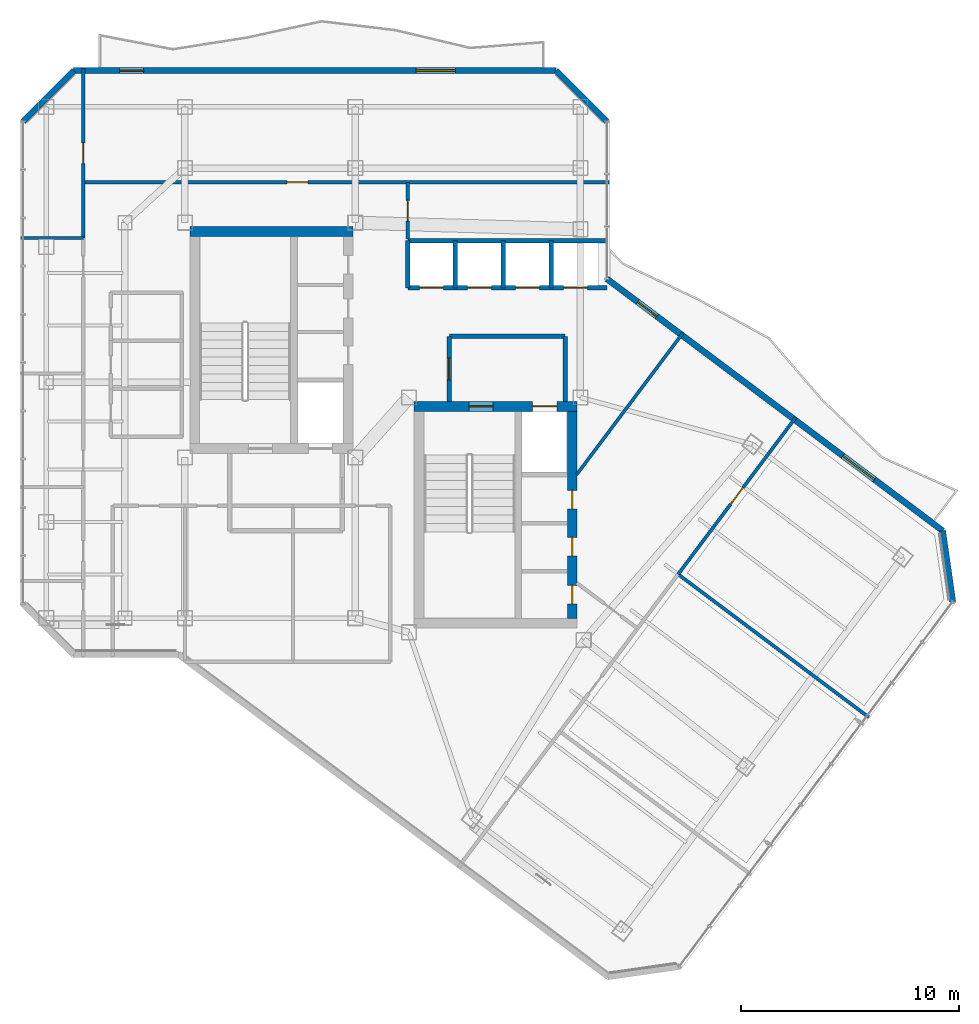
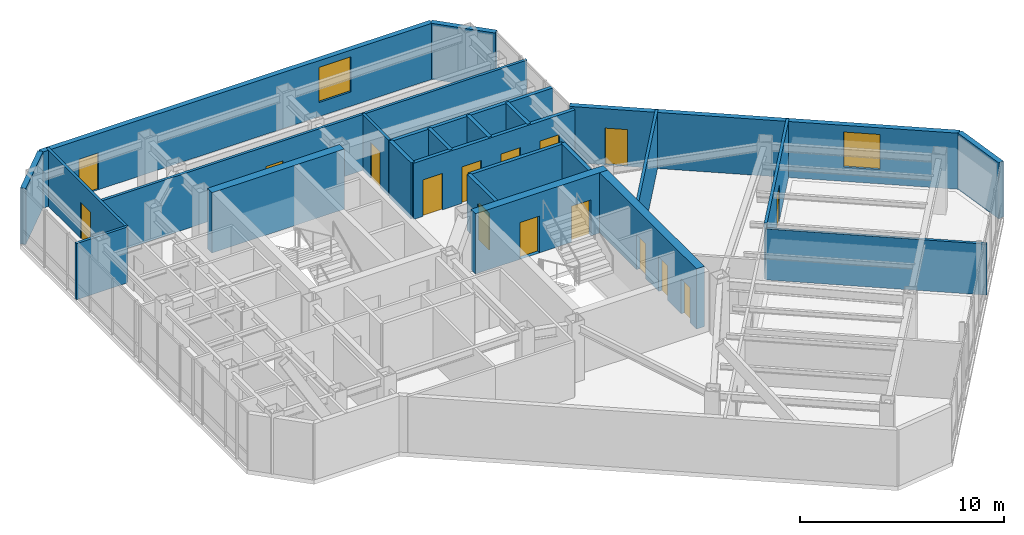
# One storey, part 21 of 26: 24 walls, 16 doors, 2 windows, 18 openings.
"""IFC4 building model written with IfcOpenShell, lengths in metres."""

from ifc_helpers import new_model, si_unit, direction, frame, frame_2d, origin, place, context, subcontext, project, spatial, rectangle, extrude, material, layer, layer_set, type_object, element, fill, save


model = new_model("IFC4")

# Units and contexts
model_context = context("Model", 3, precision=1e-05, world=origin(), true_north=direction((0.0, 1.0)))
body_context = subcontext(model_context, "Body", "Model", "MODEL_VIEW")
ifc_project = project(units=[si_unit("LENGTHUNIT", "METRE"), si_unit("AREAUNIT", "SQUARE_METRE"), si_unit("VOLUMEUNIT", "CUBIC_METRE"), si_unit("PLANEANGLEUNIT", "RADIAN"), si_unit("MASSUNIT", "GRAM", prefix="KILO")], contexts=[model_context])

# Site, building, storey
site_placement = place(None, origin())
site = spatial("IfcSite", under=ifc_project, at=site_placement, CompositionType="ELEMENT")
building_placement = place(site_placement, origin())
building = spatial("IfcBuilding", under=site, at=building_placement, Name="Hatsunagi Terrace Concourse", CompositionType="ELEMENT")
storey_placement = place(building_placement, frame((0.0, 0.0, 227.550048828125)))
storey = spatial("IfcBuildingStorey", under=building, at=storey_placement, Name="L60", CompositionType="ELEMENT", Elevation=227.550048828125)

# Wall
ifc_material_1 = material(Name="Concrete Fc42", Category="concrete")
ifc_layer_1 = layer(ifc_material_1, 0.449951171875)
ifc_layer_set_1 = layer_set([ifc_layer_1], Name="CoreShearWall_Fc42_450")
wall_type_1 = type_object("IfcWallType", Name="CoreShearWall_Fc42_450", PredefinedType="SHEAR", material=ifc_layer_set_1)
wall_1_placement = place(storey_placement, frame((25.77001953125, 42.89501953125, 0.0), z_axis=(0.0, 0.0, 1.0), x_axis=(1.0, 0.0, 0.0)))
element("IfcWall", 1, at=wall_1_placement, inside=storey, type_object=wall_type_1, Name="Core A Shear Wall N L60", PredefinedType="SHEAR", context=body_context, shape_type="SweptSolid", body=[
    extrude(rectangle(XDim=7.47998046875, YDim=0.449951171875, at=frame_2d((3.739990234375, 0.0))), origin(), (0.0, 0.0, 1.0), 3.599853515625),
])

# Wall, openings, doors
wall_2_placement = place(storey_placement, frame((36.0400390625, 34.89501953125, 0.0), z_axis=(0.0, 0.0, 1.0), x_axis=(1.0, 0.0, 0.0)))
wall_2 = element("IfcWall", 2, at=wall_2_placement, inside=storey, type_object=wall_type_1, Name="Core B Shear Wall N L60", PredefinedType="SHEAR", context=body_context, shape_type="SweptSolid", body=[
    extrude(rectangle(XDim=7.4599609375, YDim=0.449951171875, at=frame_2d((3.72998046875, 0.0))), origin(), (0.0, 0.0, 1.0), 3.599853515625),
])
opening_1_placement = place(wall_2_placement, frame((2.510009765625, 0.0, 0.0)))
opening_1 = element("IfcOpeningElement", 3, at=opening_1_placement, cuts=wall_2, Name="Opening DR-110S", PredefinedType="OPENING", context=body_context, shape_type="SweptSolid", body=[
    extrude(rectangle(XDim=1.10009765625, YDim=2.199951171875, at=frame_2d((0.550048828125, 1.10009765625))), frame((0.0, 0.23486328125, 0.0), z_axis=(0.0, -1.0, 0.0), x_axis=(1.0, 0.0, 0.0)), (0.0, 0.0, 1.0), 0.469970703125),
])
opening_2_placement = place(wall_2_placement, frame((5.409912109375, 0.0, 0.0)))
opening_2 = element("IfcOpeningElement", 4, at=opening_2_placement, cuts=wall_2, Name="Opening LD-02", PredefinedType="OPENING", context=body_context, shape_type="SweptSolid", body=[
    extrude(rectangle(XDim=1.1201171875, YDim=2.14990234375, at=frame_2d((0.56005859375, 1.074951171875))), frame((0.0, 0.23486328125, 0.0), z_axis=(0.0, -1.0, 0.0), x_axis=(1.0, 0.0, 0.0)), (0.0, 0.0, 1.0), 0.469970703125),
])
ifc_material_2 = material(Name="Stainless steel", Category="steel")
door_type_1 = type_object("IfcDoorType", Name="LiftLandingDoor_LD02", OperationType="SLIDING_TO_RIGHT", PredefinedType="USERDEFINED", material=ifc_material_2)
door_1_placement = place(opening_2_placement, origin())
door_1 = element("IfcDoor", 5, at=door_1_placement, inside=storey, type_object=door_type_1, Name="Lift landing door FF-02 L60", ObjectType="SLIDING_LANDING_DOOR", OperationType="SLIDING_TO_RIGHT", OverallHeight=2.14990234375, OverallWidth=1.1201171875, PredefinedType="USERDEFINED", context=body_context, shape_type="SweptSolid", body=[
    extrude(rectangle(XDim=1.1201171875, YDim=2.14990234375, at=frame_2d((0.56005859375, 1.074951171875))), frame((0.0, 0.02490234375, 0.0), z_axis=(0.0, -1.0, 0.0), x_axis=(1.0, 0.0, 0.0)), (0.0, 0.0, 1.0), 0.050048828125),
])
fill(opening_2, door_1)
ifc_material_3 = material(Name="Painted steel", Category="steel")
door_type_2 = type_object("IfcDoorType", Name="StairFireDoor_EI60_1100", OperationType="NOTDEFINED", PredefinedType="DOOR", material=ifc_material_3)
door_2_placement = place(opening_1_placement, origin())
door_2 = element("IfcDoor", 6, at=door_2_placement, inside=storey, type_object=door_type_2, Name="Stair ST-B Exit Door L60", OperationType="SINGLE_SWING_RIGHT", OverallHeight=2.199951171875, OverallWidth=1.10009765625, PredefinedType="DOOR", context=body_context, shape_type="SweptSolid", body=[
    extrude(rectangle(XDim=1.10009765625, YDim=2.199951171875, at=frame_2d((0.550048828125, 1.10009765625))), frame((0.0, 0.02490234375, 0.0), z_axis=(0.0, -1.0, 0.0), x_axis=(1.0, 0.0, 0.0)), (0.0, 0.0, 1.0), 0.050048828125),
])
fill(opening_1, door_2)

wall_3_placement = place(storey_placement, frame((43.27490234375, 25.18994140625, 0.0), z_axis=(0.0, 0.0, 1.0), x_axis=(0.0, 1.0, 0.0)))
wall_3 = element("IfcWall", 7, at=wall_3_placement, inside=storey, type_object=wall_type_1, Name="Core B Shear Wall E L60", PredefinedType="SHEAR", context=body_context, shape_type="SweptSolid", body=[
    extrude(rectangle(XDim=9.47998046875, YDim=0.449951171875, at=frame_2d((4.739990234375, 0.0))), origin(), (0.0, 0.0, 1.0), 3.599853515625),
])
opening_3_placement = place(wall_3_placement, frame((0.659912109375, 0.0, 0.0)))
opening_3 = element("IfcOpeningElement", 8, at=opening_3_placement, cuts=wall_3, Name="Opening DR-085", PredefinedType="OPENING", context=body_context, shape_type="SweptSolid", body=[
    extrude(rectangle(XDim=0.85009765625, YDim=2.080078125, at=frame_2d((0.425048828125, 1.0400390625))), frame((0.0, 0.23486328125, 0.0), z_axis=(0.0, -1.0, 0.0), x_axis=(1.0, 0.0, 0.0)), (0.0, 0.0, 1.0), 0.469970703125),
])
opening_4_placement = place(wall_3_placement, frame((2.860107421875, 0.0, 0.0)))
opening_4 = element("IfcOpeningElement", 9, at=opening_4_placement, cuts=wall_3, Name="Opening DR-085", PredefinedType="OPENING", context=body_context, shape_type="SweptSolid", body=[
    extrude(rectangle(XDim=0.85009765625, YDim=2.080078125, at=frame_2d((0.425048828125, 1.0400390625))), frame((0.0, 0.23486328125, 0.0), z_axis=(0.0, -1.0, 0.0), x_axis=(1.0, 0.0, 0.0)), (0.0, 0.0, 1.0), 0.469970703125),
])
opening_5_placement = place(wall_3_placement, frame((5.010009765625, 0.0, 0.0)))
opening_5 = element("IfcOpeningElement", 10, at=opening_5_placement, cuts=wall_3, Name="Opening DR-085", PredefinedType="OPENING", context=body_context, shape_type="SweptSolid", body=[
    extrude(rectangle(XDim=0.85009765625, YDim=2.080078125, at=frame_2d((0.425048828125, 1.0400390625))), frame((0.0, 0.23486328125, 0.0), z_axis=(0.0, -1.0, 0.0), x_axis=(1.0, 0.0, 0.0)), (0.0, 0.0, 1.0), 0.469970703125),
])
ifc_material_4 = material(Name="Painted steel", Category="steel")
door_type_3 = type_object("IfcDoorType", Name="RiserAccessDoor_EI60_850", OperationType="NOTDEFINED", PredefinedType="DOOR", material=ifc_material_4)
door_3_placement = place(opening_3_placement, origin())
door_3 = element("IfcDoor", 11, at=door_3_placement, inside=storey, type_object=door_type_3, Name="Core B Riser Door L60-1", OperationType="SINGLE_SWING_RIGHT", OverallHeight=2.080078125, OverallWidth=0.85009765625, PredefinedType="DOOR", context=body_context, shape_type="SweptSolid", body=[
    extrude(rectangle(XDim=0.85009765625, YDim=2.080078125, at=frame_2d((0.425048828125, 1.0400390625))), frame((0.0, 0.02490234375, 0.0), z_axis=(0.0, -1.0, 0.0), x_axis=(1.0, 0.0, 0.0)), (0.0, 0.0, 1.0), 0.050048828125),
])
fill(opening_3, door_3)
door_4_placement = place(opening_4_placement, origin())
door_4 = element("IfcDoor", 12, at=door_4_placement, inside=storey, type_object=door_type_3, Name="Core B Riser Door L60-2", OperationType="SINGLE_SWING_RIGHT", OverallHeight=2.080078125, OverallWidth=0.85009765625, PredefinedType="DOOR", context=body_context, shape_type="SweptSolid", body=[
    extrude(rectangle(XDim=0.85009765625, YDim=2.080078125, at=frame_2d((0.425048828125, 1.0400390625))), frame((0.0, 0.02490234375, 0.0), z_axis=(0.0, -1.0, 0.0), x_axis=(1.0, 0.0, 0.0)), (0.0, 0.0, 1.0), 0.050048828125),
])
fill(opening_4, door_4)
door_5_placement = place(opening_5_placement, origin())
door_5 = element("IfcDoor", 13, at=door_5_placement, inside=storey, type_object=door_type_3, Name="Core B Riser Door L60-3", OperationType="SINGLE_SWING_RIGHT", OverallHeight=2.080078125, OverallWidth=0.85009765625, PredefinedType="DOOR", context=body_context, shape_type="SweptSolid", body=[
    extrude(rectangle(XDim=0.85009765625, YDim=2.080078125, at=frame_2d((0.425048828125, 1.0400390625))), frame((0.0, 0.02490234375, 0.0), z_axis=(0.0, -1.0, 0.0), x_axis=(1.0, 0.0, 0.0)), (0.0, 0.0, 1.0), 0.050048828125),
])
fill(opening_5, door_5)

# Wall
ifc_material_5 = material(Name="Acoustic mineral board", Category="gypsum")
ifc_layer_2 = layer(ifc_material_5, 0.14990234375)
ifc_layer_set_2 = layer_set([ifc_layer_2], Name="PartitionWall_EI60_150")
wall_type_2 = type_object("IfcWallType", Name="PartitionWall_EI60_150", PredefinedType="PARTITIONING", material=ifc_layer_set_2)
wall_4_placement = place(storey_placement, frame((18.0400390625, 42.60009765625, 0.0), z_axis=(0.0, 0.0, 1.0), x_axis=(1.0, 0.0, 0.0)))
element("IfcWall", 14, at=wall_4_placement, inside=storey, type_object=wall_type_2, Name="Interior Partition IW-L60-040", PredefinedType="PARTITIONING", context=body_context, shape_type="SweptSolid", body=[
    extrude(rectangle(XDim=2.85986328125, YDim=0.14990234375, at=frame_2d((1.429931640625, 0.0))), origin(), (0.0, 0.0, 1.0), 3.349853515625),
])

# Wall, opening, door
wall_5_placement = place(storey_placement, frame((20.89990234375, 42.60009765625, 0.0), z_axis=(0.0, 0.0, 1.0), x_axis=(0.0, 1.0, 0.0)))
wall_5 = element("IfcWall", 15, at=wall_5_placement, inside=storey, type_object=wall_type_2, Name="Interior Partition IW-L60-042", PredefinedType="PARTITIONING", context=body_context, shape_type="SweptSolid", body=[
    extrude(rectangle(XDim=7.760009765625, YDim=0.14990234375, at=frame_2d((3.8798828125, 0.0))), origin(), (0.0, 0.0, 1.0), 3.349853515625),
])
opening_6_placement = place(wall_5_placement, frame((3.405029296875, 0.0, 0.0)))
opening_6 = element("IfcOpeningElement", 16, at=opening_6_placement, cuts=wall_5, Name="Opening DR-095", PredefinedType="OPENING", context=body_context, shape_type="SweptSolid", body=[
    extrude(rectangle(XDim=0.949951171875, YDim=2.14990234375, at=frame_2d((0.47509765625, 1.074951171875))), frame((0.0, 0.0849609375, 0.0), z_axis=(0.0, -1.0, 0.0), x_axis=(1.0, 0.0, 0.0)), (0.0, 0.0, 1.0), 0.169921875),
])
ifc_material_6 = material(Name="Hardwood timber", Category="wood")
door_type_4 = type_object("IfcDoorType", Name="InteriorSuiteDoor_EI30_950", OperationType="NOTDEFINED", PredefinedType="DOOR", material=ifc_material_6)
door_6_placement = place(opening_6_placement, origin())
door_6 = element("IfcDoor", 17, at=door_6_placement, inside=storey, type_object=door_type_4, Name="Design Studio L60-OW5 Door", OperationType="SINGLE_SWING_RIGHT", OverallHeight=2.14990234375, OverallWidth=0.949951171875, PredefinedType="DOOR", context=body_context, shape_type="SweptSolid", body=[
    extrude(rectangle(XDim=0.949951171875, YDim=2.14990234375, at=frame_2d((0.47509765625, 1.074951171875))), frame((0.0, 0.02490234375, 0.0), z_axis=(0.0, -1.0, 0.0), x_axis=(1.0, 0.0, 0.0)), (0.0, 0.0, 1.0), 0.050048828125),
])
fill(opening_6, door_6)

wall_6_placement = place(storey_placement, frame((20.89990234375, 45.14990234375, 0.0), z_axis=(0.0, 0.0, 1.0), x_axis=(1.0, 0.0, 0.0)))
wall_6 = element("IfcWall", 18, at=wall_6_placement, inside=storey, type_object=wall_type_2, Name="Interior Partition IW-L60-043", PredefinedType="PARTITIONING", context=body_context, shape_type="SweptSolid", body=[
    extrude(rectangle(XDim=24.06005859375, YDim=0.14990234375, at=frame_2d((12.030029296875, 0.0))), origin(), (0.0, 0.0, 1.0), 3.349853515625),
])
opening_7_placement = place(wall_6_placement, frame((9.320068359375, 0.0, 0.0)))
opening_7 = element("IfcOpeningElement", 19, at=opening_7_placement, cuts=wall_6, Name="Opening DR-095", PredefinedType="OPENING", context=body_context, shape_type="SweptSolid", body=[
    extrude(rectangle(XDim=0.949951171875, YDim=2.14990234375, at=frame_2d((0.47509765625, 1.074951171875))), frame((0.0, 0.0849609375, 0.0), z_axis=(0.0, -1.0, 0.0), x_axis=(1.0, 0.0, 0.0)), (0.0, 0.0, 1.0), 0.169921875),
])
door_7_placement = place(opening_7_placement, origin())
door_7 = element("IfcDoor", 20, at=door_7_placement, inside=storey, type_object=door_type_4, Name="Boardroom L60-ON1 Door", OperationType="SINGLE_SWING_RIGHT", OverallHeight=2.14990234375, OverallWidth=0.949951171875, PredefinedType="DOOR", context=body_context, shape_type="SweptSolid", body=[
    extrude(rectangle(XDim=0.949951171875, YDim=2.14990234375, at=frame_2d((0.47509765625, 1.074951171875))), frame((0.0, 0.02490234375, 0.0), z_axis=(0.0, -1.0, 0.0), x_axis=(1.0, 0.0, 0.0)), (0.0, 0.0, 1.0), 0.050048828125),
])
fill(opening_7, door_7)

# Wall
wall_7_placement = place(storey_placement, frame((48.1201171875, 27.2099609375, 0.0), z_axis=(0.0, 0.0, 1.0), x_axis=(0.799997314611, -0.600003580502, 0.0)))
element("IfcWall", 21, at=wall_7_placement, inside=storey, type_object=wall_type_2, Name="Interior Partition IW-L60-046", PredefinedType="PARTITIONING", context=body_context, shape_type="SweptSolid", body=[
    extrude(rectangle(XDim=10.90966796875, YDim=0.14990234375, at=frame_2d((5.454833984375, 0.0))), origin(), (0.0, 0.0, 1.0), 3.044921875),
])

# Wall, opening, door
wall_8_placement = place(storey_placement, frame((48.1201171875, 27.2099609375, 0.0), z_axis=(0.0, 0.0, 1.0), x_axis=(0.6, 0.8, 0.0)))
wall_8 = element("IfcWall", 22, at=wall_8_placement, inside=storey, type_object=wall_type_2, Name="Interior Partition IW-L60-048", PredefinedType="PARTITIONING", context=body_context, shape_type="SweptSolid", body=[
    extrude(rectangle(XDim=8.9599609375, YDim=0.14990234375, at=frame_2d((4.47998046875, 0.0))), origin(), (0.0, 0.0, 1.0), 3.349853515625),
])
opening_8_placement = place(wall_8_placement, frame((4.0048828125, 0.0, 0.0)))
opening_8 = element("IfcOpeningElement", 23, at=opening_8_placement, cuts=wall_8, Name="Opening DR-095", PredefinedType="OPENING", context=body_context, shape_type="SweptSolid", body=[
    extrude(rectangle(XDim=0.949951171875, YDim=2.14990234375, at=frame_2d((0.47509765625, 1.074951171875))), frame((0.0, 0.0849609375, 0.0), z_axis=(0.0, -1.0, 0.0), x_axis=(1.0, 0.0, 0.0)), (0.0, 0.0, 1.0), 0.169921875),
])
door_8_placement = place(opening_8_placement, origin())
door_8 = element("IfcDoor", 24, at=door_8_placement, inside=storey, type_object=door_type_4, Name="Research Focus Suite L60-OSE3 Door", OperationType="SINGLE_SWING_RIGHT", OverallHeight=2.14990234375, OverallWidth=0.949951171875, PredefinedType="DOOR", context=body_context, shape_type="SweptSolid", body=[
    extrude(rectangle(XDim=0.949951171875, YDim=2.14990234375, at=frame_2d((0.47509765625, 1.074951171875))), frame((0.0, 0.02490234375, 0.0), z_axis=(0.0, -1.0, 0.0), x_axis=(1.0, 0.0, 0.0)), (0.0, 0.0, 1.0), 0.050048828125),
])
fill(opening_8, door_8)

# Wall
wall_9_placement = place(storey_placement, frame((43.47998046875, 31.77294921875, 0.0), z_axis=(0.0, 0.0, 1.0), x_axis=(0.599971041729, 0.800021717885, 0.0)))
element("IfcWall", 25, at=wall_9_placement, inside=storey, type_object=wall_type_2, Name="Interior Partition IW-L60-050", PredefinedType="PARTITIONING", context=body_context, shape_type="SweptSolid", body=[
    extrude(rectangle(XDim=8.09375, YDim=0.14990234375, at=frame_2d((4.046875, 0.0))), origin(), (0.0, 0.0, 1.0), 3.349853515625),
])

# Wall, opening, door
wall_10_placement = place(storey_placement, frame((35.75, 42.550048828125, 0.0), z_axis=(0.0, 0.0, 1.0), x_axis=(0.0, 1.0, 0.0)))
wall_10 = element("IfcWall", 26, at=wall_10_placement, inside=storey, type_object=wall_type_2, Name="Interior Partition IW-L60-053", PredefinedType="PARTITIONING", context=body_context, shape_type="SweptSolid", body=[
    extrude(rectangle(XDim=2.599853515625, YDim=0.14990234375, at=frame_2d((1.2998046875, 0.0))), origin(), (0.0, 0.0, 1.0), 3.349853515625),
])
opening_9_placement = place(wall_10_placement, frame((0.824951171875, 0.0, 0.0)))
opening_9 = element("IfcOpeningElement", 27, at=opening_9_placement, cuts=wall_10, Name="Opening DR-095", PredefinedType="OPENING", context=body_context, shape_type="SweptSolid", body=[
    extrude(rectangle(XDim=0.949951171875, YDim=2.14990234375, at=frame_2d((0.47509765625, 1.074951171875))), frame((0.0, 0.0849609375, 0.0), z_axis=(0.0, -1.0, 0.0), x_axis=(1.0, 0.0, 0.0)), (0.0, 0.0, 1.0), 0.169921875),
])
door_9_placement = place(opening_9_placement, origin())
door_9 = element("IfcDoor", 28, at=door_9_placement, inside=storey, type_object=door_type_4, Name="Executive Briefing Room L60-ONEB Door", OperationType="SINGLE_SWING_RIGHT", OverallHeight=2.14990234375, OverallWidth=0.949951171875, PredefinedType="DOOR", context=body_context, shape_type="SweptSolid", body=[
    extrude(rectangle(XDim=0.949951171875, YDim=2.14990234375, at=frame_2d((0.47509765625, 1.074951171875))), frame((0.0, 0.02490234375, 0.0), z_axis=(0.0, -1.0, 0.0), x_axis=(1.0, 0.0, 0.0)), (0.0, 0.0, 1.0), 0.050048828125),
])
fill(opening_9, door_9)

# Walls
ifc_material_7 = material(Name="Acoustic mineral board", Category="gypsum")
ifc_layer_3 = layer(ifc_material_7, 0.199951171875)
ifc_layer_set_3 = layer_set([ifc_layer_3], Name="ShaftWall_EI120_200")
wall_type_3 = type_object("IfcWallType", Name="ShaftWall_EI120_200", PredefinedType="STANDARD", material=ifc_layer_set_3)
wall_11_placement = place(storey_placement, frame((37.64990234375, 38.10009765625, 0.0), z_axis=(0.0, 0.0, 1.0), x_axis=(1.0, 0.0, 0.0)))
element("IfcWall", 29, at=wall_11_placement, inside=storey, type_object=wall_type_3, Name="Interior Partition IW-L60-010", PredefinedType="STANDARD", context=body_context, shape_type="SweptSolid", body=[
    extrude(rectangle(XDim=5.300048828125, YDim=0.199951171875, at=frame_2d((2.64990234375, 0.0))), origin(), (0.0, 0.0, 1.0), 3.349853515625),
])
wall_12_placement = place(storey_placement, frame((42.949951171875, 35.1201171875, 0.0), z_axis=(0.0, 0.0, 1.0), x_axis=(0.0, 1.0, 0.0)))
element("IfcWall", 30, at=wall_12_placement, inside=storey, type_object=wall_type_3, Name="Interior Partition IW-L60-011", PredefinedType="STANDARD", context=body_context, shape_type="SweptSolid", body=[
    extrude(rectangle(XDim=2.97998046875, YDim=0.199951171875, at=frame_2d((1.489990234375, 0.0))), origin(), (0.0, 0.0, 1.0), 3.349853515625),
])

# Wall, opening, door
wall_13_placement = place(storey_placement, frame((37.64990234375, 35.1201171875, 0.0), z_axis=(0.0, 0.0, 1.0), x_axis=(0.0, 1.0, 0.0)))
wall_13 = element("IfcWall", 31, at=wall_13_placement, inside=storey, type_object=wall_type_3, Name="Interior Partition IW-L60-012", PredefinedType="STANDARD", context=body_context, shape_type="SweptSolid", body=[
    extrude(rectangle(XDim=2.97998046875, YDim=0.199951171875, at=frame_2d((1.489990234375, 0.0))), origin(), (0.0, 0.0, 1.0), 3.349853515625),
])
opening_10_placement = place(wall_13_placement, frame((0.989990234375, 0.0, 0.0)))
opening_10 = element("IfcOpeningElement", 32, at=opening_10_placement, cuts=wall_13, Name="Opening DR-100F", PredefinedType="OPENING", context=body_context, shape_type="SweptSolid", body=[
    extrude(rectangle(XDim=1.0, YDim=2.199951171875, at=frame_2d((0.5, 1.10009765625))), frame((0.0, 0.10986328125, 0.0), z_axis=(0.0, -1.0, 0.0), x_axis=(1.0, 0.0, 0.0)), (0.0, 0.0, 1.0), 0.219970703125),
])
ifc_material_8 = material(Name="Painted steel", Category="steel")
door_type_5 = type_object("IfcDoorType", Name="FireDoor_EI60_1000", OperationType="NOTDEFINED", PredefinedType="DOOR", material=ifc_material_8)
door_10_placement = place(opening_10_placement, origin())
door_10 = element("IfcDoor", 33, at=door_10_placement, inside=storey, type_object=door_type_5, Name="Firefighting Lobby B Door L60", OperationType="SINGLE_SWING_RIGHT", OverallHeight=2.199951171875, OverallWidth=1.0, PredefinedType="DOOR", context=body_context, shape_type="SweptSolid", body=[
    extrude(rectangle(XDim=1.0, YDim=2.199951171875, at=frame_2d((0.5, 1.10009765625))), frame((0.0, 0.02490234375, 0.0), z_axis=(0.0, -1.0, 0.0), x_axis=(1.0, 0.0, 0.0)), (0.0, 0.0, 1.0), 0.050048828125),
])
fill(opening_10, door_10)

# Walls
wall_14_placement = place(storey_placement, frame((35.75, 42.47998046875, 0.0), z_axis=(0.0, 0.0, 1.0), x_axis=(1.0, 0.0, 0.0)))
element("IfcWall", 34, at=wall_14_placement, inside=storey, type_object=wall_type_3, Name="Interior Partition IW-L60-013", PredefinedType="STANDARD", context=body_context, shape_type="SweptSolid", body=[
    extrude(rectangle(XDim=9.110107421875, YDim=0.199951171875, at=frame_2d((4.55517578125, 0.0))), origin(), (0.0, 0.0, 1.0), 3.349853515625),
])
for number, where, z_axis, x_axis, name in (
    (35, (35.75, 40.320068359375, 0.0), (0.0, 0.0, 1.0), (0.0, 1.0, 0.0), "Interior Partition IW-L60-014"),
    (36, (37.919921875, 40.320068359375, 0.0), (0.0, 0.0, 1.0), (0.0, 1.0, 0.0), "Interior Partition IW-L60-015"),
    (37, (40.1201171875, 40.320068359375, 0.0), (0.0, 0.0, 1.0), (0.0, 1.0, 0.0), "Interior Partition IW-L60-016"),
    (38, (42.320068359375, 40.320068359375, 0.0), (0.0, 0.0, 1.0), (0.0, 1.0, 0.0), "Interior Partition IW-L60-017"),
):
    element("IfcWall", number, at=place(storey_placement, frame(where, z_axis=z_axis, x_axis=x_axis)), inside=storey, type_object=wall_type_3, Name=name, PredefinedType="STANDARD", context=body_context, shape_type="SweptSolid", body=[
        extrude(rectangle(XDim=2.159912109375, YDim=0.199951171875, at=frame_2d((1.080078125, 0.0))), origin(), (0.0, 0.0, 1.0), 3.349853515625),
    ])

# Wall, openings, doors
wall_15_placement = place(storey_placement, frame((35.75, 40.320068359375, 0.0), z_axis=(0.0, 0.0, 1.0), x_axis=(1.0, 0.0, 0.0)))
wall_15 = element("IfcWall", 39, at=wall_15_placement, inside=storey, type_object=wall_type_3, Name="Interior Partition IW-L60-018", PredefinedType="STANDARD", context=body_context, shape_type="SweptSolid", body=[
    extrude(rectangle(XDim=9.110107421875, YDim=0.199951171875, at=frame_2d((4.55517578125, 0.0))), origin(), (0.0, 0.0, 1.0), 3.349853515625),
])
opening_11_placement = place(wall_15_placement, frame((0.530029296875, 0.0, 0.0)))
opening_11 = element("IfcOpeningElement", 40, at=opening_11_placement, cuts=wall_15, Name="Opening LD-04", PredefinedType="OPENING", context=body_context, shape_type="SweptSolid", body=[
    extrude(rectangle(XDim=1.10009765625, YDim=2.179931640625, at=frame_2d((0.550048828125, 1.08984375))), frame((0.0, 0.10986328125, 0.0), z_axis=(0.0, -1.0, 0.0), x_axis=(1.0, 0.0, 0.0)), (0.0, 0.0, 1.0), 0.219970703125),
])
opening_12_placement = place(wall_15_placement, frame((2.72998046875, 0.0, 0.0)))
opening_12 = element("IfcOpeningElement", 41, at=opening_12_placement, cuts=wall_15, Name="Opening LD-04", PredefinedType="OPENING", context=body_context, shape_type="SweptSolid", body=[
    extrude(rectangle(XDim=1.10009765625, YDim=2.179931640625, at=frame_2d((0.550048828125, 1.08984375))), frame((0.0, 0.10986328125, 0.0), z_axis=(0.0, -1.0, 0.0), x_axis=(1.0, 0.0, 0.0)), (0.0, 0.0, 1.0), 0.219970703125),
])
opening_13_placement = place(wall_15_placement, frame((4.929931640625, 0.0, 0.0)))
opening_13 = element("IfcOpeningElement", 42, at=opening_13_placement, cuts=wall_15, Name="Opening LD-04", PredefinedType="OPENING", context=body_context, shape_type="SweptSolid", body=[
    extrude(rectangle(XDim=1.10009765625, YDim=2.179931640625, at=frame_2d((0.550048828125, 1.08984375))), frame((0.0, 0.10986328125, 0.0), z_axis=(0.0, -1.0, 0.0), x_axis=(1.0, 0.0, 0.0)), (0.0, 0.0, 1.0), 0.219970703125),
])
opening_14_placement = place(wall_15_placement, frame((7.1298828125, 0.0, 0.0)))
opening_14 = element("IfcOpeningElement", 43, at=opening_14_placement, cuts=wall_15, Name="Opening LD-04", PredefinedType="OPENING", context=body_context, shape_type="SweptSolid", body=[
    extrude(rectangle(XDim=1.10009765625, YDim=2.179931640625, at=frame_2d((0.550048828125, 1.08984375))), frame((0.0, 0.10986328125, 0.0), z_axis=(0.0, -1.0, 0.0), x_axis=(1.0, 0.0, 0.0)), (0.0, 0.0, 1.0), 0.219970703125),
])
ifc_material_9 = material(Name="Stainless steel", Category="steel")
door_type_6 = type_object("IfcDoorType", Name="LiftLandingDoor_LD04", OperationType="SLIDING_TO_RIGHT", PredefinedType="USERDEFINED", material=ifc_material_9)
door_11_placement = place(opening_11_placement, origin())
door_11 = element("IfcDoor", 44, at=door_11_placement, inside=storey, type_object=door_type_6, Name="Lift landing door PL-05 L60", ObjectType="SLIDING_LANDING_DOOR", OperationType="SLIDING_TO_RIGHT", OverallHeight=2.179931640625, OverallWidth=1.10009765625, PredefinedType="USERDEFINED", context=body_context, shape_type="SweptSolid", body=[
    extrude(rectangle(XDim=1.10009765625, YDim=2.179931640625, at=frame_2d((0.550048828125, 1.08984375))), frame((0.0, 0.02490234375, 0.0), z_axis=(0.0, -1.0, 0.0), x_axis=(1.0, 0.0, 0.0)), (0.0, 0.0, 1.0), 0.050048828125),
])
fill(opening_11, door_11)
door_12_placement = place(opening_12_placement, origin())
door_12 = element("IfcDoor", 45, at=door_12_placement, inside=storey, type_object=door_type_6, Name="Lift landing door PL-06 L60", ObjectType="SLIDING_LANDING_DOOR", OperationType="SLIDING_TO_RIGHT", OverallHeight=2.179931640625, OverallWidth=1.10009765625, PredefinedType="USERDEFINED", context=body_context, shape_type="SweptSolid", body=[
    extrude(rectangle(XDim=1.10009765625, YDim=2.179931640625, at=frame_2d((0.550048828125, 1.08984375))), frame((0.0, 0.02490234375, 0.0), z_axis=(0.0, -1.0, 0.0), x_axis=(1.0, 0.0, 0.0)), (0.0, 0.0, 1.0), 0.050048828125),
])
fill(opening_12, door_12)
door_13_placement = place(opening_13_placement, origin())
door_13 = element("IfcDoor", 46, at=door_13_placement, inside=storey, type_object=door_type_6, Name="Lift landing door PL-07 L60", ObjectType="SLIDING_LANDING_DOOR", OperationType="SLIDING_TO_RIGHT", OverallHeight=2.179931640625, OverallWidth=1.10009765625, PredefinedType="USERDEFINED", context=body_context, shape_type="SweptSolid", body=[
    extrude(rectangle(XDim=1.10009765625, YDim=2.179931640625, at=frame_2d((0.550048828125, 1.08984375))), frame((0.0, 0.02490234375, 0.0), z_axis=(0.0, -1.0, 0.0), x_axis=(1.0, 0.0, 0.0)), (0.0, 0.0, 1.0), 0.050048828125),
])
fill(opening_13, door_13)
door_14_placement = place(opening_14_placement, origin())
door_14 = element("IfcDoor", 47, at=door_14_placement, inside=storey, type_object=door_type_6, Name="Lift landing door PL-08 L60", ObjectType="SLIDING_LANDING_DOOR", OperationType="SLIDING_TO_RIGHT", OverallHeight=2.179931640625, OverallWidth=1.10009765625, PredefinedType="USERDEFINED", context=body_context, shape_type="SweptSolid", body=[
    extrude(rectangle(XDim=1.10009765625, YDim=2.179931640625, at=frame_2d((0.550048828125, 1.08984375))), frame((0.0, 0.02490234375, 0.0), z_axis=(0.0, -1.0, 0.0), x_axis=(1.0, 0.0, 0.0)), (0.0, 0.0, 1.0), 0.050048828125),
])
fill(opening_14, door_14)

# Wall, openings, door, window
ifc_material_10 = material(Name="Autoclaved Lightweight Concrete and Terracotta Cladding", Category="masonry")
ifc_layer_4 = layer(ifc_material_10, 0.280029296875)
ifc_layer_set_4 = layer_set([ifc_layer_4], Name="TerracottaSpandrelWall_280")
wall_type_4 = type_object("IfcWallType", Name="TerracottaSpandrelWall_280", PredefinedType="STANDARD", material=ifc_layer_set_4)
wall_16_placement = place(storey_placement, frame((44.860107421875, 40.72998046875, 0.0), z_axis=(0.0, 0.0, 1.0), x_axis=(0.800007624502, -0.599989833863, 0.0)))
wall_16 = element("IfcWall", 48, at=wall_16_placement, inside=storey, type_object=wall_type_4, Name="Exterior Spandrel Wall EW-L60-01", PredefinedType="STANDARD", context=body_context, shape_type="SweptSolid", body=[
    extrude(rectangle(XDim=19.212158203125, YDim=0.280029296875, at=frame_2d((9.60595703125, 0.0))), origin(), (0.0, 0.0, 1.0), 3.349853515625),
])
opening_15_placement = place(wall_16_placement, frame((1.7548828125, 0.0, 0.0)))
opening_15 = element("IfcOpeningElement", 49, at=opening_15_placement, cuts=wall_16, Name="Opening BD-01", PredefinedType="OPENING", context=body_context, shape_type="SweptSolid", body=[
    extrude(rectangle(XDim=1.10009765625, YDim=2.199951171875, at=frame_2d((0.550048828125, 1.10009765625))), frame((0.0, 0.14990234375, 0.0), z_axis=(0.0, -1.0, 0.0), x_axis=(1.0, 0.0, 0.0)), (0.0, 0.0, 1.0), 0.300048828125),
])
opening_16_placement = place(wall_16_placement, frame((13.509033203125, 0.0, 0.85009765625)))
opening_16 = element("IfcOpeningElement", 50, at=opening_16_placement, cuts=wall_16, Name="Opening WIN-03", PredefinedType="OPENING", context=body_context, shape_type="SweptSolid", body=[
    extrude(rectangle(XDim=1.800048828125, YDim=2.10009765625, at=frame_2d((0.89990234375, 1.050048828125))), frame((0.0, 0.14990234375, 0.0), z_axis=(0.0, -1.0, 0.0), x_axis=(1.0, 0.0, 0.0)), (0.0, 0.0, 1.0), 0.300048828125),
])
ifc_material_11 = material(Name="Galvanised Steel and Laminated Safety Glass", Category="steel")
door_type_7 = type_object("IfcDoorType", Name="BalconyTerraceAccessDoor_1100x2200", OperationType="SINGLE_SWING_LEFT", PredefinedType="DOOR", material=ifc_material_11)
door_15_placement = place(opening_15_placement, origin())
door_15 = element("IfcDoor", 51, at=door_15_placement, inside=storey, type_object=door_type_7, Name="Engawa Balcony Door L60-BSE", OperationType="SINGLE_SWING_LEFT", OverallHeight=2.199951171875, OverallWidth=1.10009765625, PredefinedType="DOOR", context=body_context, shape_type="SweptSolid", body=[
    extrude(rectangle(XDim=1.10009765625, YDim=2.199951171875, at=frame_2d((0.550048828125, 1.10009765625))), frame((0.0, 0.02490234375, 0.0), z_axis=(0.0, -1.0, 0.0), x_axis=(1.0, 0.0, 0.0)), (0.0, 0.0, 1.0), 0.050048828125),
])
fill(opening_15, door_15)
ifc_material_12 = material(Name="Thermally Broken Aluminium and Low-E Triple Glazing", Category="aluminium")
window_type = type_object("IfcWindowType", Name="OfficeCornerFeatureWindow_1800x2100", PartitioningType="SINGLE_PANEL", PredefinedType="WINDOW", material=ifc_material_12)
window_1_placement = place(opening_16_placement, origin())
window_1 = element("IfcWindow", 52, at=window_1_placement, inside=storey, type_object=window_type, Name="Balcony Daylighting Window L60-01-2", OverallHeight=2.10009765625, OverallWidth=1.800048828125, PartitioningType="SINGLE_PANEL", PredefinedType="WINDOW", context=body_context, shape_type="SweptSolid", body=[
    extrude(rectangle(XDim=1.800048828125, YDim=2.10009765625, at=frame_2d((0.89990234375, 1.050048828125))), frame((0.0, 0.030029296875, 0.0), z_axis=(0.0, -1.0, 0.0), x_axis=(1.0, 0.0, 0.0)), (0.0, 0.0, 1.0), 0.06005859375),
])
fill(opening_16, window_1)

# Walls
wall_17_placement = place(storey_placement, frame((60.22998046875, 29.202880859375, 0.0), z_axis=(0.0, 0.0, 1.0), x_axis=(0.141296221922, -0.989967361922, 0.0)))
element("IfcWall", 53, at=wall_17_placement, inside=storey, type_object=wall_type_4, Name="Exterior Spandrel Wall EW-L60-02", PredefinedType="STANDARD", context=body_context, shape_type="SweptSolid", body=[
    extrude(rectangle(XDim=3.27783203125, YDim=0.280029296875, at=frame_2d((1.638916015625, 0.0))), origin(), (0.0, 0.0, 1.0), 3.349853515625),
])
wall_18_placement = place(storey_placement, frame((18.139892578125, 47.94189453125, 0.0), z_axis=(0.0, 0.0, 1.0), x_axis=(0.707106781187, 0.707106781187, 0.0)))
element("IfcWall", 54, at=wall_18_placement, inside=storey, type_object=wall_type_4, Name="Exterior Spandrel Wall EW-L60-09", PredefinedType="STANDARD", context=body_context, shape_type="SweptSolid", body=[
    extrude(rectangle(XDim=3.2783203125, YDim=0.280029296875, at=frame_2d((1.63916015625, 0.0))), origin(), (0.0, 0.0, 1.0), 3.349853515625),
])

# Wall, openings, door, window
wall_19_placement = place(storey_placement, frame((20.4580078125, 50.260009765625, 0.0), z_axis=(0.0, 0.0, 1.0), x_axis=(1.0, 0.0, 0.0)))
wall_19 = element("IfcWall", 55, at=wall_19_placement, inside=storey, type_object=wall_type_4, Name="Exterior Spandrel Wall EW-L60-10", PredefinedType="STANDARD", context=body_context, shape_type="SweptSolid", body=[
    extrude(rectangle(XDim=22.083984375, YDim=0.280029296875, at=frame_2d((11.0419921875, 0.0))), origin(), (0.0, 0.0, 1.0), 3.349853515625),
])
opening_17_placement = place(wall_19_placement, frame((2.10009765625, 0.0, 0.0)))
opening_17 = element("IfcOpeningElement", 56, at=opening_17_placement, cuts=wall_19, Name="Opening BD-01", PredefinedType="OPENING", context=body_context, shape_type="SweptSolid", body=[
    extrude(rectangle(XDim=1.10009765625, YDim=2.199951171875, at=frame_2d((0.550048828125, 1.10009765625))), frame((0.0, 0.14990234375, 0.0), z_axis=(0.0, -1.0, 0.0), x_axis=(1.0, 0.0, 0.0)), (0.0, 0.0, 1.0), 0.300048828125),
])
opening_18_placement = place(wall_19_placement, frame((15.6630859375, 0.0, 0.85009765625)))
opening_18 = element("IfcOpeningElement", 57, at=opening_18_placement, cuts=wall_19, Name="Opening WIN-03", PredefinedType="OPENING", context=body_context, shape_type="SweptSolid", body=[
    extrude(rectangle(XDim=1.800048828125, YDim=2.10009765625, at=frame_2d((0.89990234375, 1.050048828125))), frame((0.0, 0.14990234375, 0.0), z_axis=(0.0, -1.0, 0.0), x_axis=(1.0, 0.0, 0.0)), (0.0, 0.0, 1.0), 0.300048828125),
])
door_16_placement = place(opening_17_placement, origin())
door_16 = element("IfcDoor", 58, at=door_16_placement, inside=storey, type_object=door_type_7, Name="Engawa Balcony Door L60-BN", OperationType="SINGLE_SWING_RIGHT", OverallHeight=2.199951171875, OverallWidth=1.10009765625, PredefinedType="DOOR", context=body_context, shape_type="SweptSolid", body=[
    extrude(rectangle(XDim=1.10009765625, YDim=2.199951171875, at=frame_2d((0.550048828125, 1.10009765625))), frame((0.0, 0.02490234375, 0.0), z_axis=(0.0, -1.0, 0.0), x_axis=(1.0, 0.0, 0.0)), (0.0, 0.0, 1.0), 0.050048828125),
])
fill(opening_17, door_16)
window_2_placement = place(opening_18_placement, origin())
window_2 = element("IfcWindow", 59, at=window_2_placement, inside=storey, type_object=window_type, Name="Balcony Daylighting Window L60-10-2", OverallHeight=2.10009765625, OverallWidth=1.800048828125, PartitioningType="SINGLE_PANEL", PredefinedType="WINDOW", context=body_context, shape_type="SweptSolid", body=[
    extrude(rectangle(XDim=1.800048828125, YDim=2.10009765625, at=frame_2d((0.89990234375, 1.050048828125))), frame((0.0, 0.030029296875, 0.0), z_axis=(0.0, -1.0, 0.0), x_axis=(1.0, 0.0, 0.0)), (0.0, 0.0, 1.0), 0.06005859375),
])
fill(opening_18, window_2)

# Wall
wall_20_placement = place(storey_placement, frame((42.5419921875, 50.260009765625, 0.0), z_axis=(0.0, 0.0, 1.0), x_axis=(0.707106781187, -0.707106781187, 0.0)))
element("IfcWall", 60, at=wall_20_placement, inside=storey, type_object=wall_type_4, Name="Exterior Spandrel Wall EW-L60-11", PredefinedType="STANDARD", context=body_context, shape_type="SweptSolid", body=[
    extrude(rectangle(XDim=3.2783203125, YDim=0.280029296875, at=frame_2d((1.63916015625, 0.0))), origin(), (0.0, 0.0, 1.0), 3.349853515625),
])

save(model, "model.ifc")
